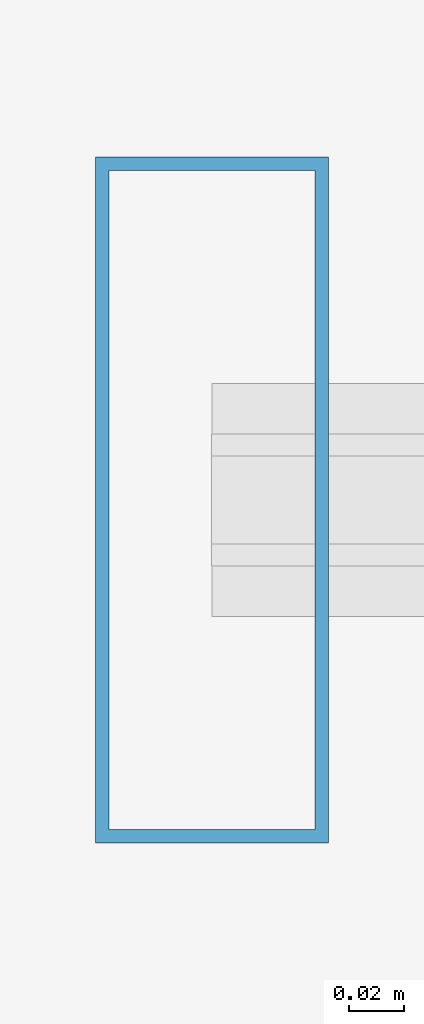
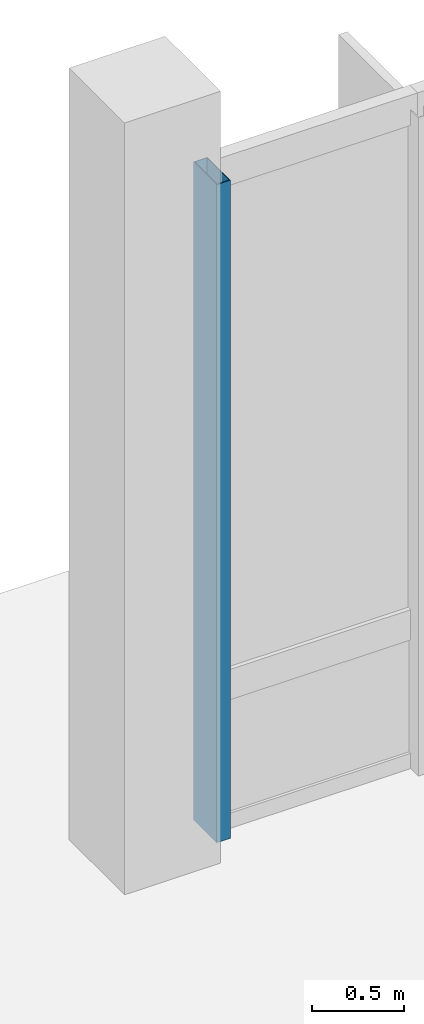
# One storey, part 58 of 119: 1 member, 1 element without a shape of its own.
"""IFC4 building model written with IfcOpenShell, lengths in metres."""

from ifc_helpers import new_model, si_unit, derived_unit, direction, frame, origin, origin_2d, place, context, subcontext, project, spatial, hollow_rectangle, extrude, material, layer, layer_set, material_profile, profile_set, type_object, element, aggregate, save


model = new_model("IFC4")

# Units and contexts
model_context = context("Model", 3, precision=1e-05, world=origin(), true_north=direction((0.0, 1.0)))
body_context = subcontext(model_context, "Body", "Model", "MODEL_VIEW")
ifc_project = project(units=[si_unit("LENGTHUNIT", "METRE"), si_unit("AREAUNIT", "SQUARE_METRE"), si_unit("VOLUMEUNIT", "CUBIC_METRE"), si_unit("PLANEANGLEUNIT", "RADIAN"), si_unit("MASSUNIT", "GRAM", prefix="KILO"), derived_unit("THERMALTRANSMITTANCEUNIT", [(si_unit("MASSUNIT", "GRAM", prefix="KILO"), 1), (si_unit("TIMEUNIT", "SECOND"), -3), (si_unit("THERMODYNAMICTEMPERATUREUNIT", "KELVIN"), -1)])], contexts=[model_context])

# Site, building, storey
site_placement = place(None, origin())
site = spatial("IfcSite", under=ifc_project, at=site_placement, CompositionType="ELEMENT")
building_placement = place(site_placement, origin())
building = spatial("IfcBuilding", under=site, at=building_placement, Name="Makaiwela Harbour Ferry Terminal", CompositionType="ELEMENT")
storey_placement = place(building_placement, origin())
storey = spatial("IfcBuildingStorey", under=building, at=storey_placement, Name="L00", CompositionType="ELEMENT", Elevation=0.0)

# Curtain wall, member
ifc_material = material(Name="Marine anodised aluminium 6063-T6", Category="aluminium")
ifc_layer = layer(ifc_material, 0.199951171875)
ifc_layer_set = layer_set([ifc_layer], Name="Marine anodised aluminium 6063-T6")
curtain_wall_type = type_object("IfcCurtainWallType", Name="ENV-CW-10", PredefinedType="USERDEFINED", material=ifc_layer_set)
curtain_wall_placement = place(storey_placement, origin())
curtain_wall = element("IfcCurtainWall", 1, at=curtain_wall_placement, inside=storey, type_object=curtain_wall_type, Name="Unitised Curtain Wall CWA-120", ObjectType="UNITIZED CURTAIN WALL", PredefinedType="USERDEFINED")
ifc_material_profile = material_profile(ifc_material, hollow_rectangle(XDim=0.0849609375, YDim=0.25, WallThickness=0.0048828125, at=origin_2d()), Name="CWM-250X85")
ifc_profile_set = profile_set([ifc_material_profile], Name="Marine anodised aluminium 6063-T6")
member_type = type_object("IfcMemberType", Name="CW-MUL-250", PredefinedType="MULLION", material=ifc_profile_set)
member_placement = place(storey_placement, frame((139.02001953125, 95.0, 0.0), z_axis=(0.0, 0.0, 1.0), x_axis=(1.0, 0.0, 0.0)))
member = element("IfcMember", 2, at=member_placement, type_object=member_type, Name="Curtain Wall Mullion CWA-120-1", PredefinedType="MULLION", context=body_context, shape_type="SweptSolid", body=[
    extrude(hollow_rectangle(XDim=0.0849609375, YDim=0.25, WallThickness=0.0048828125, at=origin_2d()), origin(), (0.0, 0.0, 1.0), 4.35009765625),
])
aggregate(curtain_wall, [member])

save(model, "model.ifc")
